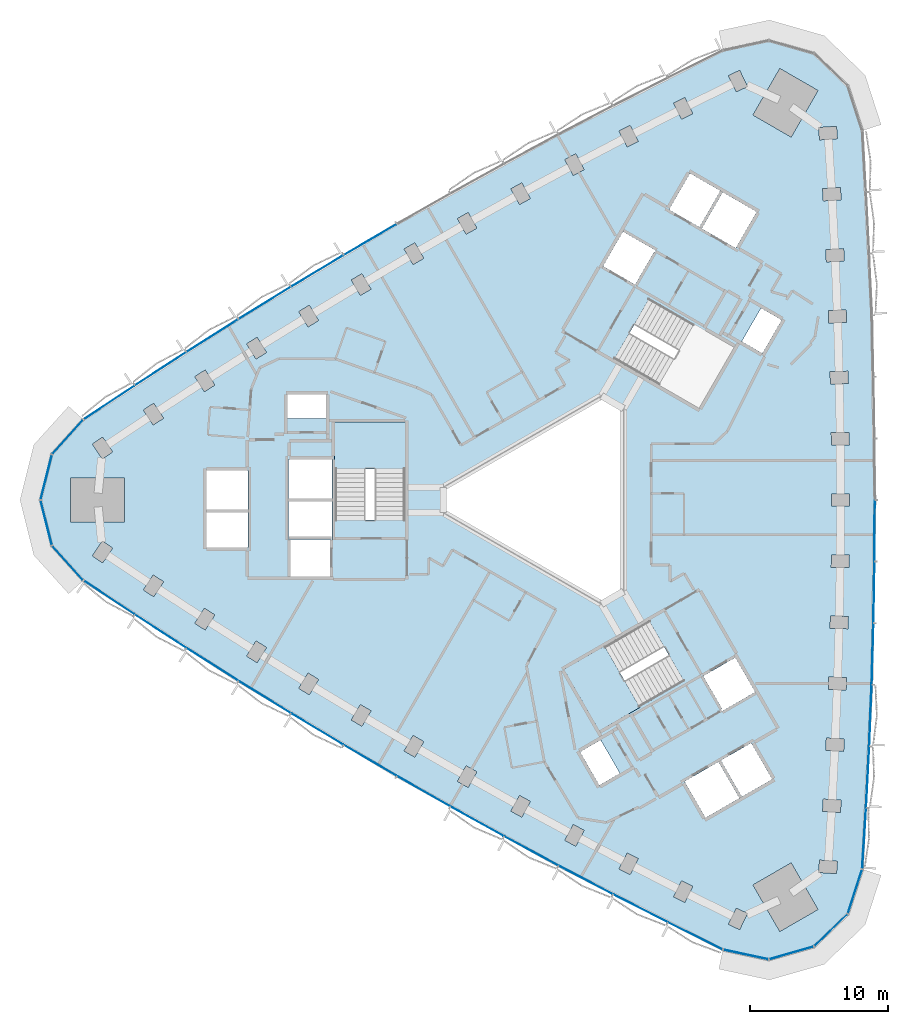
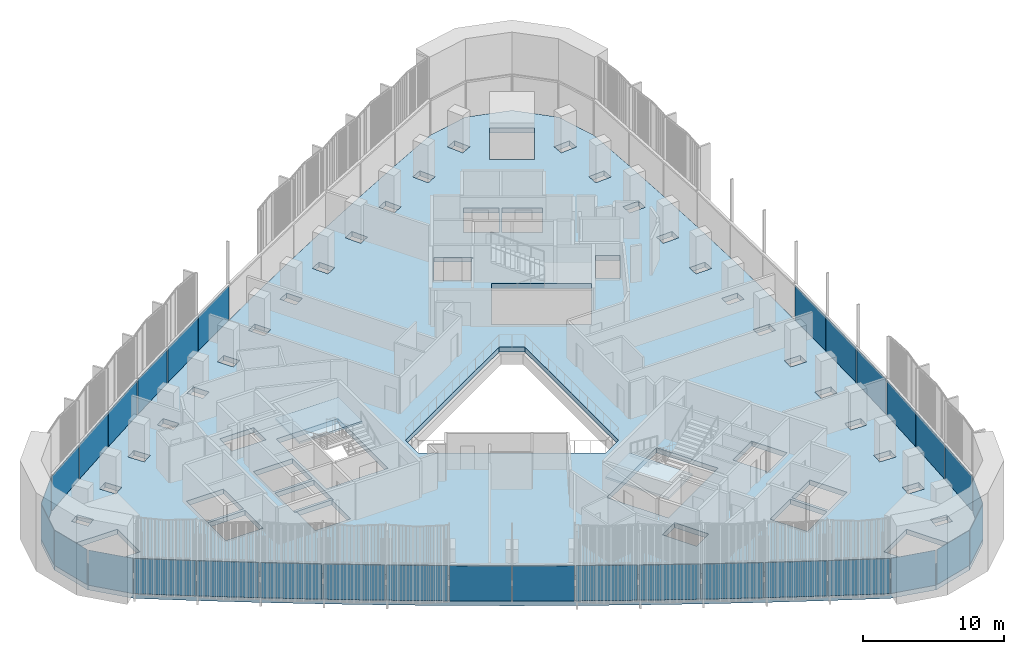
# One storey, part 6 of 15: 32 plates, 3 slabs, 5 elements without a shape of their own.
"""IFC4 building model written with IfcOpenShell, lengths in metres."""

from ifc_helpers import new_model, si_unit, direction, frame, origin, origin_2d, place, context, subcontext, project, spatial, polyline, rectangle, outline, extrude, material, layer, layer_set, type_object, element, aggregate, save


model = new_model("IFC4")

# Units and contexts
model_context = context("Model", 3, precision=1e-05, world=origin(), true_north=direction((0.0, 1.0)))
body_context = subcontext(model_context, "Body", "Model", "MODEL_VIEW")
ifc_project = project(units=[si_unit("LENGTHUNIT", "METRE"), si_unit("AREAUNIT", "SQUARE_METRE"), si_unit("VOLUMEUNIT", "CUBIC_METRE"), si_unit("PLANEANGLEUNIT", "RADIAN"), si_unit("MASSUNIT", "GRAM", prefix="KILO")], contexts=[model_context])

# Site, building, storey
site_placement = place(None, origin())
site = spatial("IfcSite", under=ifc_project, at=site_placement, CompositionType="ELEMENT")
building_placement = place(site_placement, origin())
building = spatial("IfcBuilding", under=site, at=building_placement, Name="Tamra Quay Hotel Tower", CompositionType="ELEMENT")
storey_placement = place(building_placement, frame((0.0, 0.0, 90.199951171875)))
storey = spatial("IfcBuildingStorey", under=building, at=storey_placement, Name="L21", CompositionType="ELEMENT", Elevation=90.199951171875)

# Stair, slab
ifc_material_1 = material(Name="Exit stair 2200 24 risers 150.0 going 342")
stair_type = type_object("IfcStairType", Name="Exit stair 2200 24 risers 150.0 going 342", PredefinedType="HALF_TURN_STAIR", material=ifc_material_1)
stair_1_placement = place(storey_placement, origin())
stair_1 = element("IfcStair", 1, at=stair_1_placement, inside=storey, type_object=stair_type, Name="L21 Exit stair ST3", PredefinedType="HALF_TURN_STAIR")
ifc_material_2 = material(Name="Concrete M70", Category="concrete")
ifc_layer_1 = layer(ifc_material_2, 0.175048828125)
ifc_layer_set_1 = layer_set([ifc_layer_1], Name="Concrete M70 stair landing 180")
slab_type_1 = type_object("IfcSlabType", Name="Concrete M70 stair landing 180", PredefinedType="LANDING", material=ifc_layer_set_1)
slab_1_placement = place(storey_placement, frame((0.0, 0.0, 1.625)))
slab_1 = element("IfcSlab", 2, at=slab_1_placement, type_object=slab_type_1, Name="ST3 landing 1", PredefinedType="LANDING", context=body_context, shape_type="SweptSolid", body=[
    extrude(outline(polyline([(-10.932373046875, 2.261962890625), (-10.932373046875, 5.679931640625), (-16.09130859375, 5.679931640625), (-16.09130859375, 2.261962890625), (-10.932373046875, 2.261962890625)])), origin(), (0.0, 0.0, 1.0), 0.175048828125),
])
aggregate(stair_1, [slab_1])

stair_2_placement = place(storey_placement, origin())
stair_2 = element("IfcStair", 3, at=stair_2_placement, inside=storey, type_object=stair_type, Name="L21 Exit stair ST2", PredefinedType="HALF_TURN_STAIR")
slab_2_placement = place(storey_placement, frame((0.0, 0.0, 1.625)))
slab_2 = element("IfcSlab", 4, at=slab_2_placement, type_object=slab_type_1, Name="ST2 landing 1", PredefinedType="LANDING", context=body_context, shape_type="SweptSolid", body=[
    extrude(outline(polyline([(3.50732421875, -10.5986328125), (0.547119140625, -12.3076171875), (3.126708984375, -16.775390625), (6.086669921875, -15.06640625), (3.50732421875, -10.5986328125)])), origin(), (0.0, 0.0, 1.0), 0.175048828125),
])
aggregate(stair_2, [slab_2])

# Slab
ifc_material_3 = material(Name="Concrete M60", Category="concrete")
ifc_layer_2 = layer(ifc_material_3, 0.425048828125)
ifc_layer_set_2 = layer_set([ifc_layer_2], Name="FLOOR SLAB PT 425")
slab_type_2 = type_object("IfcSlabType", Name="FLOOR SLAB PT 425", PredefinedType="FLOOR", material=ifc_layer_set_2)
slab_3_placement = place(storey_placement, frame((0.0, 0.0, -0.425048828125)))
element("IfcSlab", 5, at=slab_3_placement, inside=storey, type_object=slab_type_2, Name="SLAB-L21", PredefinedType="FLOOR", context=body_context, shape_type="SweptSolid", body=[
    extrude(outline(polyline([(22.506591796875, 22.354248046875), (22.736083984375, 17.886962890625), (22.914794921875, 13.417236328125), (23.04248046875, 8.94580078125), (23.119140625, 4.47314453125), (23.144775390625, 0.0), (23.119140625, -4.47314453125), (23.04248046875, -8.94580078125), (22.914794921875, -13.417236328125), (22.736083984375, -17.886962890625), (22.506591796875, -22.354248046875), (22.226318359375, -26.81787109375), (21.1767578125, -30.062255859375), (18.724609375, -32.43212890625), (15.4462890625, -33.370849609375), (12.11181640625, -32.657470703125), (8.10595703125, -30.66845703125), (4.122314453125, -28.633544921875), (0.162109375, -26.553466796875), (-3.77392578125, -24.42822265625), (-7.685791015625, -22.25830078125), (-11.572509765625, -20.0439453125), (-15.43359375, -17.78515625), (-19.2685546875, -15.482666015625), (-23.0771484375, -13.13623046875), (-26.858642578125, -10.74658203125), (-30.612548828125, -8.314208984375), (-34.337890625, -5.839599609375), (-36.623046875, -3.308349609375), (-37.449462890625, 0.0), (-36.623046875, 3.308349609375), (-34.337890625, 5.839599609375), (-30.612548828125, 8.314208984375), (-26.858642578125, 10.74658203125), (-23.0771484375, 13.13623046875), (-19.2685546875, 15.482666015625), (-15.43359375, 17.78515625), (-11.572509765625, 20.0439453125), (-7.685791015625, 22.25830078125), (-3.77392578125, 24.42822265625), (0.162109375, 26.553466796875), (4.122314453125, 28.633544921875), (8.10595703125, 30.66845703125), (12.11181640625, 32.657470703125), (15.4462890625, 33.370849609375), (18.724609375, 32.43212890625), (21.1767578125, 30.062255859375), (22.226318359375, 26.81787109375), (22.506591796875, 22.354248046875)]), holes=[polyline([(-14.884521484375, -15.9765625), (-14.1103515625, -16.435302734375), (-13.447509765625, -15.317138671875), (-14.2216796875, -14.858154296875), (-14.884521484375, -15.9765625)]), polyline([(-18.0234375, -12.569580078125), (-18.698974609375, -13.680419921875), (-17.929931640625, -14.14794921875), (-17.25439453125, -13.037353515625), (-18.0234375, -12.569580078125)]), polyline([(-21.798583984375, -10.23779296875), (-22.487060546875, -11.340576171875), (-21.723388671875, -11.817138671875), (-21.03515625, -10.714111328125), (-21.798583984375, -10.23779296875)]), polyline([(-25.547119140625, -7.86279296875), (-26.248046875, -8.9580078125), (-25.489990234375, -9.443115234375), (-24.789306640625, -8.34814453125), (-25.547119140625, -7.86279296875)]), polyline([(-29.268310546875, -5.445556640625), (-29.981689453125, -6.532470703125), (-29.229248046875, -7.026123046875), (-28.51611328125, -5.939453125), (-29.268310546875, -5.445556640625)]), polyline([(-16.3173828125, -2.85498046875), (-19.4072265625, -2.85498046875), (-19.4072265625, -2.89306640625), (-19.307373046875, -2.89306640625), (-19.307373046875, -5.544921875), (-16.417236328125, -5.544921875), (-16.417236328125, -2.89306640625), (-16.3173828125, -2.89306640625), (-16.3173828125, -2.85498046875)]), polyline([(-32.96240234375, -2.986083984375), (-33.6875, -4.06494140625), (-32.9404296875, -4.56689453125), (-32.215576171875, -3.488037109375), (-32.96240234375, -2.986083984375)]), polyline([(-22.3671875, -3.445068359375), (-22.3671875, -0.905029296875), (-25.4072265625, -0.905029296875), (-25.4072265625, -3.445068359375), (-22.3671875, -3.445068359375)]), polyline([(-19.417236328125, -2.89306640625), (-19.417236328125, -2.64501953125), (-16.307373046875, -2.64501953125), (-16.307373046875, -2.89306640625), (-16.26708984375, -2.89306640625), (-16.26708984375, -0.10498046875), (-19.45751953125, -0.10498046875), (-19.45751953125, -2.89306640625), (-19.417236328125, -2.89306640625)]), polyline([(-31.36376953125, 1.60009765625), (-35.263671875, 1.60009765625), (-35.263671875, -1.60009765625), (-31.36376953125, -1.60009765625), (-31.36376953125, 1.60009765625)]), polyline([(-25.4072265625, -0.695068359375), (-22.3671875, -0.695068359375), (-22.3671875, 2.14501953125), (-25.4072265625, 2.14501953125), (-25.4072265625, -0.695068359375)]), polyline([(-19.45751953125, 0.10498046875), (-16.26708984375, 0.10498046875), (-16.26708984375, 2.945068359375), (-19.45751953125, 2.945068359375), (-19.45751953125, 0.10498046875)]), polyline([(-16.036376953125, -1.455078125), (-10.9873046875, -1.455078125), (-10.9873046875, 5.625), (-16.036376953125, 5.625), (-16.036376953125, -1.455078125)]), polyline([(-32.215576171875, 3.488037109375), (-32.9404296875, 4.56689453125), (-33.6875, 4.06494140625), (-32.96240234375, 2.986083984375), (-32.215576171875, 3.488037109375)]), polyline([(-28.51611328125, 5.939453125), (-29.229248046875, 7.026123046875), (-29.981689453125, 6.532470703125), (-29.268310546875, 5.445556640625), (-28.51611328125, 5.939453125)]), polyline([(-19.50732421875, 7.64501953125), (-19.50732421875, 5.9150390625), (-16.71728515625, 5.9150390625), (-16.71728515625, 7.64501953125), (-19.50732421875, 7.64501953125)]), polyline([(-24.789306640625, 8.34814453125), (-25.489990234375, 9.443115234375), (-26.248046875, 8.9580078125), (-25.547119140625, 7.86279296875), (-24.789306640625, 8.34814453125)]), polyline([(-21.03515625, 10.714111328125), (-21.723388671875, 11.817138671875), (-22.487060546875, 11.340576171875), (-21.798583984375, 10.23779296875), (-21.03515625, 10.714111328125)]), polyline([(-17.25439453125, 13.037353515625), (-17.929931640625, 14.14794921875), (-18.698974609375, 13.680419921875), (-18.0234375, 12.569580078125), (-17.25439453125, 13.037353515625)]), polyline([(-13.447509765625, 15.317138671875), (-14.1103515625, 16.435302734375), (-14.884521484375, 15.9765625), (-14.2216796875, 14.858154296875), (-13.447509765625, 15.317138671875)]), polyline([(9.1142578125, -27.665283203125), (8.52978515625, -28.826416015625), (9.33349609375, -29.231201171875), (9.918212890625, -28.070068359375), (9.1142578125, -27.665283203125)]), polyline([(5.164794921875, -25.64208984375), (4.567138671875, -26.79638671875), (5.3662109375, -27.210205078125), (5.964111328125, -26.055908203125), (5.164794921875, -25.64208984375)]), polyline([(1.23876953125, -23.57421875), (0.627685546875, -24.721435546875), (1.422119140625, -25.14453125), (2.033203125, -23.9970703125), (1.23876953125, -23.57421875)]), polyline([(-2.663330078125, -21.46142578125), (-3.28759765625, -22.601806640625), (-2.498046875, -23.033935546875), (-1.873779296875, -21.8935546875), (-2.663330078125, -21.46142578125)]), polyline([(13.3056640625, -21.65576171875), (11.78564453125, -19.02294921875), (9.325927734375, -20.443115234375), (10.845947265625, -23.075927734375), (13.3056640625, -21.65576171875)]), polyline([(-6.541259765625, -19.304443359375), (-7.17822265625, -20.437744140625), (-6.393798828125, -20.878662109375), (-5.756591796875, -19.74560546875), (-6.541259765625, -19.304443359375)]), polyline([(1.73779296875, -18.300048828125), (3.1328125, -20.71630859375), (4.631103515625, -19.851318359375), (3.236083984375, -17.43505859375), (1.73779296875, -18.300048828125)]), polyline([(-10.394287109375, -17.103271484375), (-11.044189453125, -18.22900390625), (-10.264892578125, -18.67919921875), (-9.61474609375, -17.55322265625), (-10.394287109375, -17.103271484375)]), polyline([(10.68115234375, -12.790283203125), (12.05615234375, -15.171875), (11.969482421875, -15.2216796875), (12.03955078125, -15.343017578125), (14.455810546875, -13.947998046875), (13.0107421875, -11.4453125), (10.68115234375, -12.790283203125)]), polyline([(9.2783203125, -13.160400390625), (6.75390625, -8.78759765625), (0.622314453125, -12.32763671875), (3.146728515625, -16.7001953125), (9.2783203125, -13.160400390625)]), polyline([(-8.199951171875, 0.923828125), (-8.199951171875, -0.923828125), (3.300048828125, -7.563232421875), (4.89990234375, -6.639404296875), (4.89990234375, 6.639404296875), (3.300048828125, 7.563232421875), (-8.199951171875, 0.923828125)]), polyline([(6.758056640625, 14.615478515625), (4.2333984375, 10.242919921875), (10.364990234375, 6.702880859375), (12.889404296875, 11.075439453125), (6.758056640625, 14.615478515625)]), polyline([(5.736083984375, 15.645263671875), (7.111083984375, 18.02685546875), (7.19775390625, 17.976806640625), (7.267578125, 18.09814453125), (4.8515625, 19.4931640625), (3.406494140625, 16.990234375), (5.736083984375, 15.645263671875)]), polyline([(-9.61474609375, 17.55322265625), (-10.264892578125, 18.67919921875), (-11.044189453125, 18.22900390625), (-10.394287109375, 17.103271484375), (-9.61474609375, 17.55322265625)]), polyline([(-5.756591796875, 19.74560546875), (-6.393798828125, 20.878662109375), (-7.17822265625, 20.437744140625), (-6.541259765625, 19.304443359375), (-5.756591796875, 19.74560546875)]), polyline([(8.2001953125, 21.093017578125), (10.39990234375, 19.822998046875), (11.919921875, 22.455810546875), (9.72021484375, 23.725830078125), (8.2001953125, 21.093017578125)]), polyline([(-1.873779296875, 21.8935546875), (-2.498046875, 23.033935546875), (-3.28759765625, 22.601806640625), (-2.663330078125, 21.46142578125), (-1.873779296875, 21.8935546875)]), polyline([(2.033203125, 23.9970703125), (1.422119140625, 25.14453125), (0.627685546875, 24.721435546875), (1.23876953125, 23.57421875), (2.033203125, 23.9970703125)]), polyline([(5.964111328125, 26.055908203125), (5.3662109375, 27.210205078125), (4.567138671875, 26.79638671875), (5.164794921875, 25.64208984375), (5.964111328125, 26.055908203125)]), polyline([(9.918212890625, 28.070068359375), (9.33349609375, 29.231201171875), (8.52978515625, 28.826416015625), (9.1142578125, 27.665283203125), (9.918212890625, 28.070068359375)]), polyline([(13.0869140625, -29.643310546875), (12.51513671875, -30.810791015625), (13.323486328125, -31.206787109375), (13.895263671875, -30.039306640625), (13.0869140625, -29.643310546875)]), polyline([(14.296142578125, -27.9619140625), (16.24609375, -31.339111328125), (19.017333984375, -29.7392578125), (17.0673828125, -26.36181640625), (14.296142578125, -27.9619140625)]), polyline([(19.067138671875, -27.05322265625), (20.3642578125, -27.141845703125), (20.42529296875, -26.243896484375), (19.12841796875, -26.155517578125), (19.067138671875, -27.05322265625)]), polyline([(19.350341796875, -22.624267578125), (20.648193359375, -22.698486328125), (20.699462890625, -21.800048828125), (19.401611328125, -21.725830078125), (19.350341796875, -22.624267578125)]), polyline([(14.1669921875, -17.648193359375), (11.96728515625, -18.91796875), (13.487548828125, -21.55078125), (15.68701171875, -20.281005859375), (14.1669921875, -17.648193359375)]), polyline([(20.8818359375, -18.25244140625), (20.9228515625, -17.353515625), (19.624267578125, -17.2939453125), (19.5830078125, -18.193115234375), (20.8818359375, -18.25244140625)]), polyline([(19.765380859375, -13.75927734375), (21.064697265625, -13.803955078125), (21.095703125, -12.904541015625), (19.79638671875, -12.85986328125), (19.765380859375, -13.75927734375)]), polyline([(19.897216796875, -9.323974609375), (21.197021484375, -9.353759765625), (21.217529296875, -8.453857421875), (19.91796875, -8.424072265625), (19.897216796875, -9.323974609375)]), polyline([(19.978515625, -4.88720703125), (21.2783203125, -4.902099609375), (21.288818359375, -4.002197265625), (19.98876953125, -3.9873046875), (19.978515625, -4.88720703125)]), polyline([(20.009033203125, -0.449951171875), (21.30908203125, -0.449951171875), (21.30908203125, 0.449951171875), (20.009033203125, 0.449951171875), (20.009033203125, -0.449951171875)]), polyline([(19.98876953125, 3.9873046875), (21.288818359375, 4.002197265625), (21.2783203125, 4.902099609375), (19.978515625, 4.88720703125), (19.98876953125, 3.9873046875)]), polyline([(19.91796875, 8.424072265625), (21.217529296875, 8.453857421875), (21.197021484375, 9.353759765625), (19.897216796875, 9.323974609375), (19.91796875, 8.424072265625)]), polyline([(14.9794921875, 10.655029296875), (16.37451171875, 13.0712890625), (14.876220703125, 13.936279296875), (13.481201171875, 11.52001953125), (14.9794921875, 10.655029296875)]), polyline([(19.79638671875, 12.85986328125), (21.095703125, 12.904541015625), (21.064697265625, 13.803955078125), (19.765380859375, 13.75927734375), (19.79638671875, 12.85986328125)]), polyline([(19.624267578125, 17.2939453125), (20.9228515625, 17.353515625), (20.8818359375, 18.25244140625), (19.5830078125, 18.193115234375), (19.624267578125, 17.2939453125)]), polyline([(12.101806640625, 22.350830078125), (10.58154296875, 19.718017578125), (13.041259765625, 18.298095703125), (14.561279296875, 20.930908203125), (12.101806640625, 22.350830078125)]), polyline([(19.401611328125, 21.725830078125), (20.699462890625, 21.800048828125), (20.648193359375, 22.698486328125), (19.350341796875, 22.624267578125), (19.401611328125, 21.725830078125)]), polyline([(19.12841796875, 26.155517578125), (20.42529296875, 26.243896484375), (20.3642578125, 27.141845703125), (19.067138671875, 27.05322265625), (19.12841796875, 26.155517578125)]), polyline([(17.0673828125, 26.36181640625), (19.017333984375, 29.7392578125), (16.24609375, 31.339111328125), (14.296142578125, 27.9619140625), (17.0673828125, 26.36181640625)]), polyline([(13.895263671875, 30.039306640625), (13.323486328125, 31.206787109375), (12.51513671875, 30.810791015625), (13.0869140625, 29.643310546875), (13.895263671875, 30.039306640625)])]), origin(), (0.0, 0.0, 1.0), 0.425048828125),
])

# Curtain wall, plates
ifc_material_4 = material(Name="Aluminium 6063 anodised dark grey", Category="aluminium")
curtain_wall_type_1 = type_object("IfcCurtainWallType", Name="CW1 CURTAIN WALL", PredefinedType="NOTDEFINED", material=ifc_material_4)
curtain_wall_1_placement = place(storey_placement, origin())
curtain_wall_1 = element("IfcCurtainWall", 6, at=curtain_wall_1_placement, inside=storey, type_object=curtain_wall_type_1, Name="CW1 east face L21", PredefinedType="NOTDEFINED")
ifc_material_5 = material(Name="Glass clear laminated low-iron", Category="glass")
ifc_layer_3 = layer(ifc_material_5, 0.033935546875)
ifc_layer_set_3 = layer_set([ifc_layer_3], Name="GLASS PANEL CW1 Z2")
plate_type_1 = type_object("IfcPlateType", Name="GLASS PANEL CW1 Z2", PredefinedType="CURTAIN_PANEL", material=ifc_layer_set_3)
plate_1_placement = place(storey_placement, frame((22.366455078125, -24.5859375, 0.0), z_axis=(0.0, 0.0, 1.0), x_axis=(0.062669917068, 0.998034308776, 0.0)))
plate_1 = element("IfcPlate", 7, at=plate_1_placement, type_object=plate_type_1, Name="CW1 glass L21.E.1", PredefinedType="CURTAIN_PANEL", context=body_context, shape_type="SweptSolid", body=[
    extrude(rectangle(XDim=4.372314453125, YDim=0.033935546875, at=origin_2d()), origin(), (0.0, 0.0, 1.0), 3.034912109375),
])
plate_2_placement = place(storey_placement, frame((22.621337890625, -20.12060546875, 0.0), z_axis=(0.0, 0.0, 1.0), x_axis=(0.051320736558, 0.998682222731, 0.0)))
plate_2 = element("IfcPlate", 8, at=plate_2_placement, type_object=plate_type_1, Name="CW1 glass L21.E.2", PredefinedType="CURTAIN_PANEL", context=body_context, shape_type="SweptSolid", body=[
    extrude(rectangle(XDim=4.373291015625, YDim=0.033935546875, at=origin_2d()), origin(), (0.0, 0.0, 1.0), 3.034912109375),
])
plate_3_placement = place(storey_placement, frame((22.825439453125, -15.652099609375, 0.0), z_axis=(0.0, 0.0, 1.0), x_axis=(0.039943885581, 0.99920192454, 0.0)))
plate_3 = element("IfcPlate", 9, at=plate_3_placement, type_object=plate_type_1, Name="CW1 glass L21.E.3", PredefinedType="CURTAIN_PANEL", context=body_context, shape_type="SweptSolid", body=[
    extrude(rectangle(XDim=4.373291015625, YDim=0.033935546875, at=origin_2d()), origin(), (0.0, 0.0, 1.0), 3.034912109375),
])
plate_4_placement = place(storey_placement, frame((22.978759765625, -11.181396484375, 0.0), z_axis=(0.0, 0.0, 1.0), x_axis=(0.028546324212, 0.999592470647, 0.0)))
plate_4 = element("IfcPlate", 10, at=plate_4_placement, type_object=plate_type_1, Name="CW1 glass L21.E.4", PredefinedType="CURTAIN_PANEL", context=body_context, shape_type="SweptSolid", body=[
    extrude(rectangle(XDim=4.373291015625, YDim=0.033935546875, at=origin_2d()), origin(), (0.0, 0.0, 1.0), 3.034912109375),
])
plate_5_placement = place(storey_placement, frame((23.080810546875, -6.70947265625, 0.0), z_axis=(0.0, 0.0, 1.0), x_axis=(0.017133948461, 0.99985320313, 0.0)))
plate_5 = element("IfcPlate", 11, at=plate_5_placement, type_object=plate_type_1, Name="CW1 glass L21.E.5", PredefinedType="CURTAIN_PANEL", context=body_context, shape_type="SweptSolid", body=[
    extrude(rectangle(XDim=4.373291015625, YDim=0.033935546875, at=origin_2d()), origin(), (0.0, 0.0, 1.0), 3.034912109375),
])
plate_6_placement = place(storey_placement, frame((23.132080078125, -2.236572265625, 0.0), z_axis=(0.0, 0.0, 1.0), x_axis=(0.00571269185, 0.999983682443, 0.0)))
plate_6 = element("IfcPlate", 12, at=plate_6_placement, type_object=plate_type_1, Name="CW1 glass L21.E.6", PredefinedType="CURTAIN_PANEL", context=body_context, shape_type="SweptSolid", body=[
    extrude(rectangle(XDim=4.373291015625, YDim=0.033935546875, at=origin_2d()), origin(), (0.0, 0.0, 1.0), 3.034912109375),
])
aggregate(curtain_wall_1, [plate_1, plate_2, plate_3, plate_4, plate_5, plate_6])

curtain_wall_type_2 = type_object("IfcCurtainWallType", Name="CW2 CURTAIN WALL", PredefinedType="NOTDEFINED", material=ifc_material_4)
curtain_wall_2_placement = place(storey_placement, origin())
curtain_wall_2 = element("IfcCurtainWall", 13, at=curtain_wall_2_placement, inside=storey, type_object=curtain_wall_type_2, Name="CW2 north-west face L21", PredefinedType="NOTDEFINED")
ifc_layer_4 = layer(ifc_material_5, 0.033935546875)
ifc_layer_set_4 = layer_set([ifc_layer_4], Name="GLASS PANEL CW2 Z2")
plate_type_2 = type_object("IfcPlateType", Name="GLASS PANEL CW2 Z2", PredefinedType="CURTAIN_PANEL", material=ifc_layer_set_4)
plate_7_placement = place(storey_placement, frame((-13.5029296875, 18.91455078125, 0.0), z_axis=(0.0, 0.0, 1.0), x_axis=(-0.86315492644, -0.504939177488, 0.0)))
plate_7 = element("IfcPlate", 14, at=plate_7_placement, type_object=plate_type_2, Name="CW2 glass L21.NW.7", PredefinedType="CURTAIN_PANEL", context=body_context, shape_type="SweptSolid", body=[
    extrude(rectangle(XDim=4.373291015625, YDim=0.033935546875, at=origin_2d()), origin(), (0.0, 0.0, 1.0), 3.034912109375),
])
plate_8_placement = place(storey_placement, frame((-17.35107421875, 16.6337890625, 0.0), z_axis=(0.0, 0.0, 1.0), x_axis=(-0.857331299736, -0.5147650362, 0.0)))
plate_8 = element("IfcPlate", 15, at=plate_8_placement, type_object=plate_type_2, Name="CW2 glass L21.NW.8", PredefinedType="CURTAIN_PANEL", context=body_context, shape_type="SweptSolid", body=[
    extrude(rectangle(XDim=4.373291015625, YDim=0.033935546875, at=origin_2d()), origin(), (0.0, 0.0, 1.0), 3.034912109375),
])
plate_9_placement = place(storey_placement, frame((-21.1728515625, 14.309326171875, 0.0), z_axis=(0.0, 0.0, 1.0), x_axis=(-0.851399310906, -0.524518077276, 0.0)))
plate_9 = element("IfcPlate", 16, at=plate_9_placement, type_object=plate_type_2, Name="CW2 glass L21.NW.9", PredefinedType="CURTAIN_PANEL", context=body_context, shape_type="SweptSolid", body=[
    extrude(rectangle(XDim=4.373291015625, YDim=0.033935546875, at=origin_2d()), origin(), (0.0, 0.0, 1.0), 3.034912109375),
])
plate_10_placement = place(storey_placement, frame((-24.9677734375, 11.94140625, 0.0), z_axis=(0.0, 0.0, 1.0), x_axis=(-0.845362307372, -0.534193381909, 0.0)))
plate_10 = element("IfcPlate", 17, at=plate_10_placement, type_object=plate_type_2, Name="CW2 glass L21.NW.10", PredefinedType="CURTAIN_PANEL", context=body_context, shape_type="SweptSolid", body=[
    extrude(rectangle(XDim=4.373291015625, YDim=0.033935546875, at=origin_2d()), origin(), (0.0, 0.0, 1.0), 3.034912109375),
])
plate_11_placement = place(storey_placement, frame((-28.735595703125, 9.530517578125, 0.0), z_axis=(0.0, 0.0, 1.0), x_axis=(-0.839223806914, -0.543786172966, 0.0)))
plate_11 = element("IfcPlate", 18, at=plate_11_placement, type_object=plate_type_2, Name="CW2 glass L21.NW.11", PredefinedType="CURTAIN_PANEL", context=body_context, shape_type="SweptSolid", body=[
    extrude(rectangle(XDim=4.373291015625, YDim=0.033935546875, at=origin_2d()), origin(), (0.0, 0.0, 1.0), 3.034912109375),
])
plate_12_placement = place(storey_placement, frame((-32.475341796875, 7.076904296875, 0.0), z_axis=(0.0, 0.0, 1.0), x_axis=(-0.832988106715, -0.553290894622, 0.0)))
plate_12 = element("IfcPlate", 19, at=plate_12_placement, type_object=plate_type_2, Name="CW2 glass L21.NW.12", PredefinedType="CURTAIN_PANEL", context=body_context, shape_type="SweptSolid", body=[
    extrude(rectangle(XDim=4.372314453125, YDim=0.033935546875, at=origin_2d()), origin(), (0.0, 0.0, 1.0), 3.034912109375),
])
plate_13_placement = place(storey_placement, frame((-35.48046875, 4.573974609375, 0.0), z_axis=(0.0, 0.0, 1.0), x_axis=(-0.670087934649, -0.742281725383, 0.0)))
plate_13 = element("IfcPlate", 20, at=plate_13_placement, type_object=plate_type_2, Name="CW2 glass L21.NW.13", PredefinedType="CURTAIN_PANEL", context=body_context, shape_type="SweptSolid", body=[
    extrude(rectangle(XDim=3.31005859375, YDim=0.033935546875, at=origin_2d()), origin(), (0.0, 0.0, 1.0), 3.034912109375),
])
plate_14_placement = place(storey_placement, frame((-37.036376953125, 1.654296875, 0.0), z_axis=(0.0, 0.0, 1.0), x_axis=(-0.242338764242, -0.970191694123, 0.0)))
plate_14 = element("IfcPlate", 21, at=plate_14_placement, type_object=plate_type_2, Name="CW2 glass L21.NW.14", PredefinedType="CURTAIN_PANEL", context=body_context, shape_type="SweptSolid", body=[
    extrude(rectangle(XDim=3.31005859375, YDim=0.033935546875, at=origin_2d()), origin(), (0.0, 0.0, 1.0), 3.034912109375),
])
plate_15_placement = place(storey_placement, frame((-37.036376953125, -1.654296875, 0.0), z_axis=(0.0, 0.0, 1.0), x_axis=(0.242338764242, -0.970191694123, 0.0)))
plate_15 = element("IfcPlate", 22, at=plate_15_placement, type_object=plate_type_2, Name="CW2 glass L21.NW.15", PredefinedType="CURTAIN_PANEL", context=body_context, shape_type="SweptSolid", body=[
    extrude(rectangle(XDim=3.31005859375, YDim=0.033935546875, at=origin_2d()), origin(), (0.0, 0.0, 1.0), 3.034912109375),
])
plate_16_placement = place(storey_placement, frame((-35.48046875, -4.573974609375, 0.0), z_axis=(0.0, 0.0, 1.0), x_axis=(0.670087934649, -0.742281725383, 0.0)))
plate_16 = element("IfcPlate", 23, at=plate_16_placement, type_object=plate_type_2, Name="CW2 glass L21.NW.16", PredefinedType="CURTAIN_PANEL", context=body_context, shape_type="SweptSolid", body=[
    extrude(rectangle(XDim=3.31005859375, YDim=0.033935546875, at=origin_2d()), origin(), (0.0, 0.0, 1.0), 3.034912109375),
])
aggregate(curtain_wall_2, [plate_7, plate_8, plate_9, plate_10, plate_11, plate_12, plate_13, plate_14, plate_15, plate_16])

curtain_wall_type_3 = type_object("IfcCurtainWallType", Name="CW3 CURTAIN WALL", PredefinedType="NOTDEFINED", material=ifc_material_4)
curtain_wall_3_placement = place(storey_placement, origin())
curtain_wall_3 = element("IfcCurtainWall", 24, at=curtain_wall_3_placement, inside=storey, type_object=curtain_wall_type_3, Name="CW3 south-west face L21", PredefinedType="NOTDEFINED")
ifc_layer_5 = layer(ifc_material_5, 0.033935546875)
ifc_layer_set_5 = layer_set([ifc_layer_5], Name="GLASS PANEL CW3 Z2")
plate_type_3 = type_object("IfcPlateType", Name="GLASS PANEL CW3 Z2", PredefinedType="CURTAIN_PANEL", material=ifc_layer_set_5)
plate_17_placement = place(storey_placement, frame((-32.475341796875, -7.076904296875, 0.0), z_axis=(0.0, 0.0, 1.0), x_axis=(0.832988106715, -0.553290894622, 0.0)))
plate_17 = element("IfcPlate", 25, at=plate_17_placement, type_object=plate_type_3, Name="CW3 glass L21.SW.1", PredefinedType="CURTAIN_PANEL", context=body_context, shape_type="SweptSolid", body=[
    extrude(rectangle(XDim=4.372314453125, YDim=0.033935546875, at=origin_2d()), origin(), (0.0, 0.0, 1.0), 3.034912109375),
])
plate_18_placement = place(storey_placement, frame((-28.735595703125, -9.530517578125, 0.0), z_axis=(0.0, 0.0, 1.0), x_axis=(0.839223806914, -0.543786172966, 0.0)))
plate_18 = element("IfcPlate", 26, at=plate_18_placement, type_object=plate_type_3, Name="CW3 glass L21.SW.2", PredefinedType="CURTAIN_PANEL", context=body_context, shape_type="SweptSolid", body=[
    extrude(rectangle(XDim=4.373291015625, YDim=0.033935546875, at=origin_2d()), origin(), (0.0, 0.0, 1.0), 3.034912109375),
])
plate_19_placement = place(storey_placement, frame((-24.9677734375, -11.94140625, 0.0), z_axis=(0.0, 0.0, 1.0), x_axis=(0.845362307372, -0.534193381909, 0.0)))
plate_19 = element("IfcPlate", 27, at=plate_19_placement, type_object=plate_type_3, Name="CW3 glass L21.SW.3", PredefinedType="CURTAIN_PANEL", context=body_context, shape_type="SweptSolid", body=[
    extrude(rectangle(XDim=4.373291015625, YDim=0.033935546875, at=origin_2d()), origin(), (0.0, 0.0, 1.0), 3.034912109375),
])
plate_20_placement = place(storey_placement, frame((-21.1728515625, -14.309326171875, 0.0), z_axis=(0.0, 0.0, 1.0), x_axis=(0.851399310906, -0.524518077276, 0.0)))
plate_20 = element("IfcPlate", 28, at=plate_20_placement, type_object=plate_type_3, Name="CW3 glass L21.SW.4", PredefinedType="CURTAIN_PANEL", context=body_context, shape_type="SweptSolid", body=[
    extrude(rectangle(XDim=4.373291015625, YDim=0.033935546875, at=origin_2d()), origin(), (0.0, 0.0, 1.0), 3.034912109375),
])
plate_21_placement = place(storey_placement, frame((-17.35107421875, -16.6337890625, 0.0), z_axis=(0.0, 0.0, 1.0), x_axis=(0.857331299736, -0.5147650362, 0.0)))
plate_21 = element("IfcPlate", 29, at=plate_21_placement, type_object=plate_type_3, Name="CW3 glass L21.SW.5", PredefinedType="CURTAIN_PANEL", context=body_context, shape_type="SweptSolid", body=[
    extrude(rectangle(XDim=4.373291015625, YDim=0.033935546875, at=origin_2d()), origin(), (0.0, 0.0, 1.0), 3.034912109375),
])
plate_22_placement = place(storey_placement, frame((-13.5029296875, -18.91455078125, 0.0), z_axis=(0.0, 0.0, 1.0), x_axis=(0.86315492644, -0.504939177488, 0.0)))
plate_22 = element("IfcPlate", 30, at=plate_22_placement, type_object=plate_type_3, Name="CW3 glass L21.SW.6", PredefinedType="CURTAIN_PANEL", context=body_context, shape_type="SweptSolid", body=[
    extrude(rectangle(XDim=4.373291015625, YDim=0.033935546875, at=origin_2d()), origin(), (0.0, 0.0, 1.0), 3.034912109375),
])
plate_23_placement = place(storey_placement, frame((-9.629150390625, -21.151123046875, 0.0), z_axis=(0.0, 0.0, 1.0), x_axis=(0.86886761829, -0.495044504955, 0.0)))
plate_23 = element("IfcPlate", 31, at=plate_23_placement, type_object=plate_type_3, Name="CW3 glass L21.SW.7", PredefinedType="CURTAIN_PANEL", context=body_context, shape_type="SweptSolid", body=[
    extrude(rectangle(XDim=4.373291015625, YDim=0.033935546875, at=origin_2d()), origin(), (0.0, 0.0, 1.0), 3.034912109375),
])
plate_24_placement = place(storey_placement, frame((-5.729736328125, -23.34326171875, 0.0), z_axis=(0.0, 0.0, 1.0), x_axis=(0.874465248197, -0.485088166931, 0.0)))
plate_24 = element("IfcPlate", 32, at=plate_24_placement, type_object=plate_type_3, Name="CW3 glass L21.SW.8", PredefinedType="CURTAIN_PANEL", context=body_context, shape_type="SweptSolid", body=[
    extrude(rectangle(XDim=4.373291015625, YDim=0.033935546875, at=origin_2d()), origin(), (0.0, 0.0, 1.0), 3.034912109375),
])
plate_25_placement = place(storey_placement, frame((-1.805908203125, -25.490966796875, 0.0), z_axis=(0.0, 0.0, 1.0), x_axis=(0.879945635118, -0.475074393371, 0.0)))
plate_25 = element("IfcPlate", 33, at=plate_25_placement, type_object=plate_type_3, Name="CW3 glass L21.SW.9", PredefinedType="CURTAIN_PANEL", context=body_context, shape_type="SweptSolid", body=[
    extrude(rectangle(XDim=4.373291015625, YDim=0.033935546875, at=origin_2d()), origin(), (0.0, 0.0, 1.0), 3.034912109375),
])
plate_26_placement = place(storey_placement, frame((2.142333984375, -27.593505859375, 0.0), z_axis=(0.0, 0.0, 1.0), x_axis=(0.885306192952, -0.465008542631, 0.0)))
plate_26 = element("IfcPlate", 34, at=plate_26_placement, type_object=plate_type_3, Name="CW3 glass L21.SW.10", PredefinedType="CURTAIN_PANEL", context=body_context, shape_type="SweptSolid", body=[
    extrude(rectangle(XDim=4.373291015625, YDim=0.033935546875, at=origin_2d()), origin(), (0.0, 0.0, 1.0), 3.034912109375),
])
plate_27_placement = place(storey_placement, frame((6.1142578125, -29.65087890625, 0.0), z_axis=(0.0, 0.0, 1.0), x_axis=(0.890544543472, -0.454896049765, 0.0)))
plate_27 = element("IfcPlate", 35, at=plate_27_placement, type_object=plate_type_3, Name="CW3 glass L21.SW.11", PredefinedType="CURTAIN_PANEL", context=body_context, shape_type="SweptSolid", body=[
    extrude(rectangle(XDim=4.373291015625, YDim=0.033935546875, at=origin_2d()), origin(), (0.0, 0.0, 1.0), 3.034912109375),
])
plate_28_placement = place(storey_placement, frame((10.10888671875, -31.662841796875, 0.0), z_axis=(0.0, 0.0, 1.0), x_axis=(0.895658023783, -0.444743414154, 0.0)))
plate_28 = element("IfcPlate", 36, at=plate_28_placement, type_object=plate_type_3, Name="CW3 glass L21.SW.12", PredefinedType="CURTAIN_PANEL", context=body_context, shape_type="SweptSolid", body=[
    extrude(rectangle(XDim=4.372314453125, YDim=0.033935546875, at=origin_2d()), origin(), (0.0, 0.0, 1.0), 3.034912109375),
])
plate_29_placement = place(storey_placement, frame((13.779052734375, -33.01416015625, 0.0), z_axis=(0.0, 0.0, 1.0), x_axis=(0.977878798271, -0.209172311484, 0.0)))
plate_29 = element("IfcPlate", 37, at=plate_29_placement, type_object=plate_type_3, Name="CW3 glass L21.SW.13", PredefinedType="CURTAIN_PANEL", context=body_context, shape_type="SweptSolid", body=[
    extrude(rectangle(XDim=3.31005859375, YDim=0.033935546875, at=origin_2d()), origin(), (0.0, 0.0, 1.0), 3.034912109375),
])
plate_30_placement = place(storey_placement, frame((17.08544921875, -32.9013671875, 0.0), z_axis=(0.0, 0.0, 1.0), x_axis=(0.961380035772, 0.275224320906, 0.0)))
plate_30 = element("IfcPlate", 38, at=plate_30_placement, type_object=plate_type_3, Name="CW3 glass L21.SW.14", PredefinedType="CURTAIN_PANEL", context=body_context, shape_type="SweptSolid", body=[
    extrude(rectangle(XDim=3.31005859375, YDim=0.033935546875, at=origin_2d()), origin(), (0.0, 0.0, 1.0), 3.034912109375),
])
plate_31_placement = place(storey_placement, frame((19.95068359375, -31.247314453125, 0.0), z_axis=(0.0, 0.0, 1.0), x_axis=(0.71904127153, 0.694967373217, 0.0)))
plate_31 = element("IfcPlate", 39, at=plate_31_placement, type_object=plate_type_3, Name="CW3 glass L21.SW.15", PredefinedType="CURTAIN_PANEL", context=body_context, shape_type="SweptSolid", body=[
    extrude(rectangle(XDim=3.31005859375, YDim=0.033935546875, at=origin_2d()), origin(), (0.0, 0.0, 1.0), 3.034912109375),
])
plate_32_placement = place(storey_placement, frame((21.70166015625, -28.43994140625, 0.0), z_axis=(0.0, 0.0, 1.0), x_axis=(0.307790863622, 0.951454036867, 0.0)))
plate_32 = element("IfcPlate", 40, at=plate_32_placement, type_object=plate_type_3, Name="CW3 glass L21.SW.16", PredefinedType="CURTAIN_PANEL", context=body_context, shape_type="SweptSolid", body=[
    extrude(rectangle(XDim=3.31005859375, YDim=0.033935546875, at=origin_2d()), origin(), (0.0, 0.0, 1.0), 3.034912109375),
])
aggregate(curtain_wall_3, [plate_17, plate_18, plate_19, plate_20, plate_21, plate_22, plate_23, plate_24, plate_25, plate_26, plate_27, plate_28, plate_29, plate_30, plate_31, plate_32])

save(model, "model.ifc")
